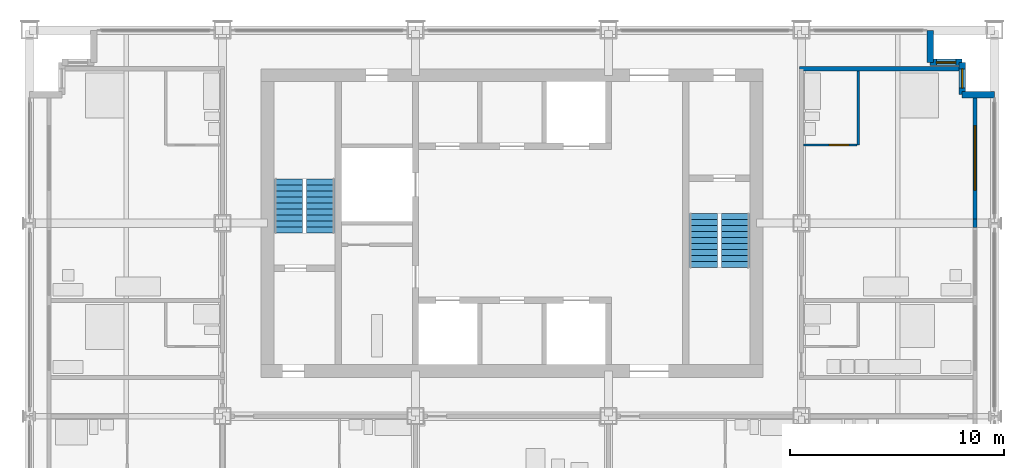
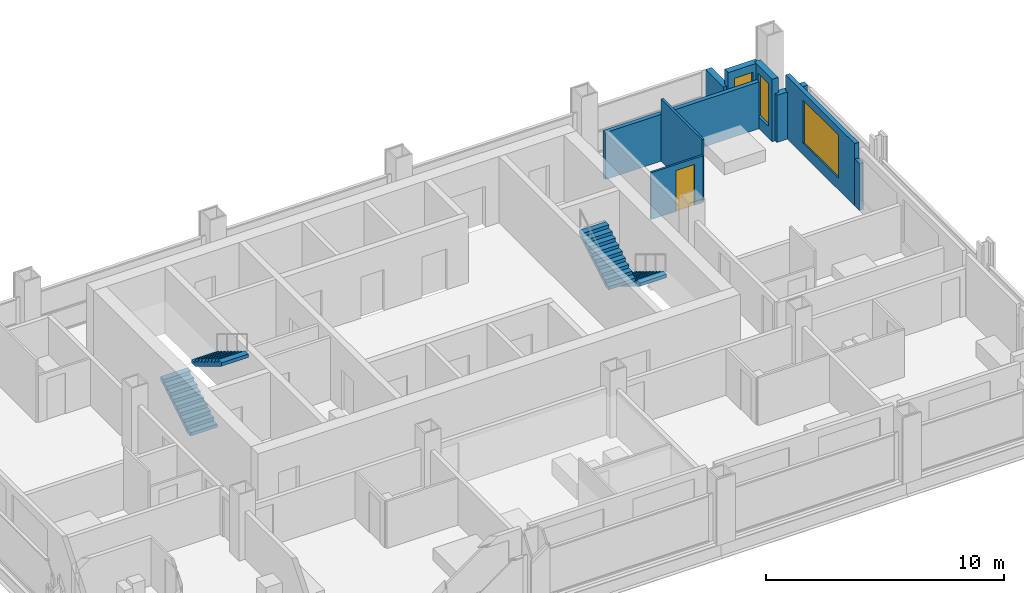
# One storey, part 10 of 13: 9 walls, 4 stair flights, 3 windows, 1 door, 4 openings, 2 elements without a shape of their own.
"""IFC4 building model written with IfcOpenShell, lengths in metres."""

from ifc_helpers import new_model, si_unit, direction, frame, frame_2d, origin, place, context, subcontext, project, spatial, polyline, rectangle, outline, extrude, material, layer, layer_set, type_object, element, fill, aggregate, save


model = new_model("IFC4")

# Units and contexts
model_context = context("Model", 3, precision=1e-05, world=origin(), true_north=direction((0.0, 1.0)))
body_context = subcontext(model_context, "Body", "Model", "MODEL_VIEW")
ifc_project = project(units=[si_unit("LENGTHUNIT", "METRE"), si_unit("AREAUNIT", "SQUARE_METRE"), si_unit("VOLUMEUNIT", "CUBIC_METRE"), si_unit("PLANEANGLEUNIT", "RADIAN"), si_unit("MASSUNIT", "GRAM", prefix="KILO")], contexts=[model_context])

# Site, building, storey
site_placement = place(None, origin())
site = spatial("IfcSite", under=ifc_project, at=site_placement, CompositionType="ELEMENT")
building_placement = place(site_placement, origin())
building = spatial("IfcBuilding", under=site, at=building_placement, Name="Loomwork Tower", CompositionType="ELEMENT")
storey_placement = place(building_placement, frame((0.0, 0.0, 174.0)))
storey = spatial("IfcBuildingStorey", under=building, at=storey_placement, Name="L47", CompositionType="ELEMENT", Elevation=174.0)

# Walls
ifc_material_1 = material(Name="Gypsum board on steel studs, one-hour", Category="steel")
ifc_layer_1 = layer(ifc_material_1, 0.199951171875)
ifc_layer_set_1 = layer_set([ifc_layer_1], Name="Corridor wall 200")
wall_type_1 = type_object("IfcWallType", Name="Corridor wall 200", PredefinedType="PARTITIONING", material=ifc_layer_set_1)
wall_1_placement = place(storey_placement, frame((35.89990234375, 25.199951171875, 0.0), z_axis=(0.0, 0.0, 1.0), x_axis=(1.0, 0.0, 0.0)))
element("IfcWall", 1, at=wall_1_placement, inside=storey, type_object=wall_type_1, Name="East band end wall N", PredefinedType="PARTITIONING", context=body_context, shape_type="SweptSolid", body=[
    extrude(rectangle(XDim=7.4501953125, YDim=0.199951171875, at=frame_2d((3.72509765625, 0.0))), origin(), (0.0, 0.0, 1.0), 2.404052734375),
])
ifc_material_2 = material(Name="Cement board on steel studs", Category="steel")
ifc_layer_2 = layer(ifc_material_2, 0.10009765625)
ifc_layer_set_2 = layer_set([ifc_layer_2], Name="En-suite partition 100")
wall_type_2 = type_object("IfcWallType", Name="En-suite partition 100", PredefinedType="PARTITIONING", material=ifc_layer_set_2)
wall_2_placement = place(storey_placement, frame((38.64990234375, 21.64990234375, 0.0), z_axis=(0.0, 0.0, 1.0), x_axis=(0.0, 1.0, 0.0)))
element("IfcWall", 2, at=wall_2_placement, inside=storey, type_object=wall_type_2, Name="En-suite wall L47 room 9", PredefinedType="PARTITIONING", context=body_context, shape_type="SweptSolid", body=[
    extrude(rectangle(XDim=3.4501953125, YDim=0.10009765625, at=frame_2d((1.72509765625, 0.0))), origin(), (0.0, 0.0, 1.0), 3.199951171875),
])

# Wall, opening, door
wall_3_placement = place(storey_placement, frame((36.10009765625, 21.64990234375, 0.0), z_axis=(0.0, 0.0, 1.0), x_axis=(1.0, 0.0, 0.0)))
wall_3 = element("IfcWall", 3, at=wall_3_placement, inside=storey, type_object=wall_type_2, Name="En-suite side wall L47 room 9", PredefinedType="PARTITIONING", context=body_context, shape_type="SweptSolid", body=[
    extrude(rectangle(XDim=2.5, YDim=0.10009765625, at=frame_2d((1.25, 0.0))), origin(), (0.0, 0.0, 1.0), 2.404052734375),
])
opening_1_placement = place(wall_3_placement, frame((1.199951171875, 0.0, 0.0)))
opening_1 = element("IfcOpeningElement", 4, at=opening_1_placement, cuts=wall_3, Name="Opening D2", PredefinedType="OPENING", context=body_context, shape_type="SweptSolid", body=[
    extrude(rectangle(XDim=0.89990234375, YDim=2.10009765625, at=frame_2d((0.449951171875, 1.050048828125))), frame((0.0, 0.06005859375, 0.0), z_axis=(0.0, -1.0, 0.0), x_axis=(1.0, 0.0, 0.0)), (0.0, 0.0, 1.0), 0.1201171875),
])
ifc_material_3 = material(Name="Hollow metal door and frame")
door_type = type_object("IfcDoorType", Name="En-suite door 900", OperationType="SINGLE_SWING_LEFT", PredefinedType="DOOR", material=ifc_material_3)
door_placement = place(opening_1_placement, origin())
door = element("IfcDoor", 5, at=door_placement, inside=storey, type_object=door_type, Name="En-suite door room 9", OperationType="SINGLE_SWING_RIGHT", OverallHeight=2.10009765625, OverallWidth=0.89990234375, PredefinedType="DOOR", context=body_context, shape_type="SweptSolid", body=[
    extrude(rectangle(XDim=0.89990234375, YDim=2.10009765625, at=frame_2d((0.449951171875, 1.050048828125))), frame((0.0, 0.02490234375, 0.0), z_axis=(0.0, -1.0, 0.0), x_axis=(1.0, 0.0, 0.0)), (0.0, 0.0, 1.0), 0.050048828125),
])
fill(opening_1, door)

# Wall
ifc_material_4 = material(Name="Insulated steel stud wall with gypsum lining", Category="steel")
ifc_layer_3 = layer(ifc_material_4, 0.199951171875)
ifc_layer_set_3 = layer_set([ifc_layer_3], Name="Inner skin wall 200")
wall_type_3 = type_object("IfcWallType", Name="Inner skin wall 200", PredefinedType="SOLIDWALL", material=ifc_layer_set_3)
wall_4_placement = place(storey_placement, frame((44.10009765625, 17.80615234375, 0.0), z_axis=(0.0, 0.0, 1.0), x_axis=(0.0, 1.0, 0.0)))
element("IfcWall", 6, at=wall_4_placement, inside=storey, type_object=wall_type_3, Name="Inner skin wall E bay 6", PredefinedType="SOLIDWALL", context=body_context, shape_type="SweptSolid", body=[
    extrude(rectangle(XDim=0.3876953125, YDim=0.199951171875, at=frame_2d((0.19384765625, 0.0))), origin(), (0.0, 0.0, 1.0), 2.404052734375),
])

# Wall, opening, window
wall_5_placement = place(storey_placement, frame((44.10009765625, 18.19384765625, 0.0), z_axis=(0.0, 0.0, 1.0), x_axis=(0.0, 1.0, 0.0)))
wall_5 = element("IfcWall", 7, at=wall_5_placement, inside=storey, type_object=wall_type_3, Name="Inner skin wall E bay 7", PredefinedType="SOLIDWALL", context=body_context, shape_type="SweptSolid", body=[
    extrude(rectangle(XDim=5.80615234375, YDim=0.199951171875, at=frame_2d((2.903076171875, 0.0))), origin(), (0.0, 0.0, 1.0), 3.199951171875),
])
opening_2_placement = place(wall_5_placement, frame((1.356201171875, 0.0, 0.60009765625)))
opening_2 = element("IfcOpeningElement", 8, at=opening_2_placement, cuts=wall_5, Name="Opening CH1", PredefinedType="OPENING", context=body_context, shape_type="SweptSolid", body=[
    extrude(rectangle(XDim=3.0, YDim=2.199951171875, at=frame_2d((1.5, 1.10009765625))), frame((0.0, 0.10986328125, 0.0), z_axis=(0.0, -1.0, 0.0), x_axis=(1.0, 0.0, 0.0)), (0.0, 0.0, 1.0), 0.219970703125),
])
ifc_material_5 = material(Name="Aluminium frame with clear insulated glass", Category="aluminium")
window_type_1 = type_object("IfcWindowType", Name="Chicago window 3000", PartitioningType="TRIPLE_PANEL_VERTICAL", PredefinedType="WINDOW", material=ifc_material_5)
window_1_placement = place(opening_2_placement, origin())
window_1 = element("IfcWindow", 9, at=window_1_placement, inside=storey, type_object=window_type_1, Name="Chicago window L47 bay 9", OverallHeight=2.199951171875, OverallWidth=3.0, PartitioningType="TRIPLE_PANEL_VERTICAL", PredefinedType="WINDOW", context=body_context, shape_type="SweptSolid", body=[
    extrude(rectangle(XDim=3.0, YDim=2.199951171875, at=frame_2d((1.5, 1.10009765625))), frame((0.0, 0.030029296875, 0.0), z_axis=(0.0, -1.0, 0.0), x_axis=(1.0, 0.0, 0.0)), (0.0, 0.0, 1.0), 0.06005859375),
])
fill(opening_2, window_1)

# Wall
ifc_material_6 = material(Name="Limestone on concrete masonry", Category="masonry")
ifc_layer_4 = layer(ifc_material_6, 0.300048828125)
ifc_layer_set_4 = layer_set([ifc_layer_4], Name="Limestone corner wall 300")
wall_type_4 = type_object("IfcWallType", Name="Limestone corner wall 300", PredefinedType="SOLIDWALL", material=ifc_layer_set_4)
wall_6_placement = place(storey_placement, frame((45.0, 24.0, 0.0), z_axis=(0.0, 0.0, 1.0), x_axis=(-1.0, 0.0, 0.0)))
element("IfcWall", 10, at=wall_6_placement, inside=storey, type_object=wall_type_4, Name="Stone corner wall NE 1", PredefinedType="SOLIDWALL", context=body_context, shape_type="SweptSolid", body=[
    extrude(rectangle(XDim=1.5, YDim=0.300048828125, at=frame_2d((0.75, 0.0))), origin(), (0.0, 0.0, 1.0), 2.419921875),
])

# Wall, opening, window
wall_7_placement = place(storey_placement, frame((43.5, 24.0, 0.0), z_axis=(0.0, 0.0, 1.0), x_axis=(0.0, 1.0, 0.0)))
wall_7 = element("IfcWall", 11, at=wall_7_placement, inside=storey, type_object=wall_type_4, Name="Stone corner wall NE 2", PredefinedType="SOLIDWALL", context=body_context, shape_type="SweptSolid", body=[
    extrude(rectangle(XDim=1.5, YDim=0.300048828125, at=frame_2d((0.75, 0.0))), origin(), (0.0, 0.0, 1.0), 3.199951171875),
])
opening_3_placement = place(wall_7_placement, frame((0.300048828125, 0.0, 0.60009765625)))
opening_3 = element("IfcOpeningElement", 12, at=opening_3_placement, cuts=wall_7, Name="Opening CH2", PredefinedType="OPENING", context=body_context, shape_type="SweptSolid", body=[
    extrude(rectangle(XDim=0.89990234375, YDim=2.199951171875, at=frame_2d((0.449951171875, 1.10009765625))), frame((0.0, 0.159912109375, 0.0), z_axis=(0.0, -1.0, 0.0), x_axis=(1.0, 0.0, 0.0)), (0.0, 0.0, 1.0), 0.320068359375),
])
ifc_material_7 = material(Name="Aluminium frame with clear insulated glass", Category="aluminium")
window_type_2 = type_object("IfcWindowType", Name="Corner window 900", PartitioningType="SINGLE_PANEL", PredefinedType="WINDOW", material=ifc_material_7)
window_2_placement = place(opening_3_placement, origin())
window_2 = element("IfcWindow", 13, at=window_2_placement, inside=storey, type_object=window_type_2, Name="Corner window NE", OverallHeight=2.199951171875, OverallWidth=0.89990234375, PartitioningType="SINGLE_PANEL", PredefinedType="WINDOW", context=body_context, shape_type="SweptSolid", body=[
    extrude(rectangle(XDim=0.89990234375, YDim=2.199951171875, at=frame_2d((0.449951171875, 1.10009765625))), frame((0.0, 0.030029296875, 0.0), z_axis=(0.0, -1.0, 0.0), x_axis=(1.0, 0.0, 0.0)), (0.0, 0.0, 1.0), 0.06005859375),
])
fill(opening_3, window_2)

wall_8_placement = place(storey_placement, frame((43.5, 25.5, 0.0), z_axis=(0.0, 0.0, 1.0), x_axis=(-1.0, 0.0, 0.0)))
wall_8 = element("IfcWall", 14, at=wall_8_placement, inside=storey, type_object=wall_type_4, Name="Stone corner wall NE 3", PredefinedType="SOLIDWALL", context=body_context, shape_type="SweptSolid", body=[
    extrude(rectangle(XDim=1.5, YDim=0.300048828125, at=frame_2d((0.75, 0.0))), origin(), (0.0, 0.0, 1.0), 3.199951171875),
])
opening_4_placement = place(wall_8_placement, frame((0.300048828125, 0.0, 0.60009765625)))
opening_4 = element("IfcOpeningElement", 15, at=opening_4_placement, cuts=wall_8, Name="Opening CH2", PredefinedType="OPENING", context=body_context, shape_type="SweptSolid", body=[
    extrude(rectangle(XDim=0.89990234375, YDim=2.199951171875, at=frame_2d((0.449951171875, 1.10009765625))), frame((0.0, 0.159912109375, 0.0), z_axis=(0.0, -1.0, 0.0), x_axis=(1.0, 0.0, 0.0)), (0.0, 0.0, 1.0), 0.320068359375),
])
window_3_placement = place(opening_4_placement, origin())
window_3 = element("IfcWindow", 16, at=window_3_placement, inside=storey, type_object=window_type_2, Name="Corner window NE", OverallHeight=2.199951171875, OverallWidth=0.89990234375, PartitioningType="SINGLE_PANEL", PredefinedType="WINDOW", context=body_context, shape_type="SweptSolid", body=[
    extrude(rectangle(XDim=0.89990234375, YDim=2.199951171875, at=frame_2d((0.449951171875, 1.10009765625))), frame((0.0, 0.030029296875, 0.0), z_axis=(0.0, -1.0, 0.0), x_axis=(1.0, 0.0, 0.0)), (0.0, 0.0, 1.0), 0.06005859375),
])
fill(opening_4, window_3)

# Wall
wall_9_placement = place(storey_placement, frame((42.0, 25.5, 0.0), z_axis=(0.0, 0.0, 1.0), x_axis=(0.0, 1.0, 0.0)))
element("IfcWall", 17, at=wall_9_placement, inside=storey, type_object=wall_type_4, Name="Stone corner wall NE 4", PredefinedType="SOLIDWALL", context=body_context, shape_type="SweptSolid", body=[
    extrude(rectangle(XDim=1.5, YDim=0.300048828125, at=frame_2d((0.75, 0.0))), origin(), (0.0, 0.0, 1.0), 2.419921875),
])

# Stair, stair flights
ifc_material_8 = material(Name="Concrete 5000 psi (34 MPa) precast stair", Category="concrete")
stair_type_1 = type_object("IfcStairType", Name="Stair ST-A 20 risers 2850 wide", PredefinedType="HALF_TURN_STAIR", material=ifc_material_8)
stair_1_placement = place(storey_placement, origin())
stair_1 = element("IfcStair", 18, at=stair_1_placement, inside=storey, type_object=stair_type_1, Name="Stair A L47", PredefinedType="HALF_TURN_STAIR")
ifc_material_9 = material(Name="Concrete 5000 psi (34 MPa) precast stair", Category="concrete")
stair_flight_type_1 = type_object("IfcStairFlightType", Name="Stair flight ST-A 10 risers 1300 wide", PredefinedType="STRAIGHT", material=ifc_material_9)
stair_flight_1_placement = place(storey_placement, frame((12.074951171875, 17.550048828125, 0.0), z_axis=(0.0, 0.0, 1.0), x_axis=(0.0, 1.0, 0.0)))
stair_flight_1 = element("IfcStairFlight", 19, at=stair_flight_1_placement, type_object=stair_flight_type_1, Name="ST-A flight 1", NumberOfRisers=10, NumberOfTreads=9, PredefinedType="STRAIGHT", RiserHeight=0.17, TreadLength=0.28, context=body_context, shape_type="SweptSolid", body=[
    extrude(outline(polyline([(0.0, 0.0), (0.0, 0.169921875), (0.280029296875, 0.169921875), (0.280029296875, 0.340087890625), (0.56005859375, 0.340087890625), (0.56005859375, 0.510009765625), (0.840087890625, 0.510009765625), (0.840087890625, 0.679931640625), (1.1201171875, 0.679931640625), (1.1201171875, 0.85009765625), (1.39990234375, 0.85009765625), (1.39990234375, 1.02001953125), (1.679931640625, 1.02001953125), (1.679931640625, 1.18994140625), (1.9599609375, 1.18994140625), (1.9599609375, 1.360107421875), (2.239990234375, 1.360107421875), (2.239990234375, 1.530029296875), (2.52001953125, 1.530029296875), (2.52001953125, 1.699951171875), (2.52001953125, 1.354736328125), (0.288818359375, 0.0), (0.0, 0.0)])), frame((0.0, 0.64990234375, 0.0), z_axis=(0.0, -1.0, 0.0), x_axis=(1.0, 0.0, 0.0)), (0.0, 0.0, 1.0), 1.300048828125),
])
stair_flight_2_placement = place(storey_placement, frame((13.574951171875, 20.070068359375, 1.699951171875), z_axis=(0.0, 0.0, 1.0), x_axis=(0.0, -1.0, 0.0)))
stair_flight_2 = element("IfcStairFlight", 20, at=stair_flight_2_placement, type_object=stair_flight_type_1, Name="ST-A flight 2", NumberOfRisers=10, NumberOfTreads=9, PredefinedType="STRAIGHT", RiserHeight=0.17, TreadLength=0.28, context=body_context, shape_type="SweptSolid", body=[
    extrude(outline(polyline([(0.0, 0.0), (0.0, 0.169921875), (0.280029296875, 0.169921875), (0.280029296875, 0.340087890625), (0.56005859375, 0.340087890625), (0.56005859375, 0.510009765625), (0.840087890625, 0.510009765625), (0.840087890625, 0.679931640625), (1.1201171875, 0.679931640625), (1.1201171875, 0.85009765625), (1.39990234375, 0.85009765625), (1.39990234375, 1.02001953125), (1.679931640625, 1.02001953125), (1.679931640625, 1.18994140625), (1.9599609375, 1.18994140625), (1.9599609375, 1.360107421875), (2.239990234375, 1.360107421875), (2.239990234375, 1.530029296875), (2.52001953125, 1.530029296875), (2.52001953125, 1.699951171875), (2.52001953125, 1.354736328125), (0.288818359375, 0.0), (0.0, 0.0)])), frame((0.0, 0.64990234375, 0.0), z_axis=(0.0, -1.0, 0.0), x_axis=(1.0, 0.0, 0.0)), (0.0, 0.0, 1.0), 1.300048828125),
])
aggregate(stair_1, [stair_flight_1, stair_flight_2])

ifc_material_10 = material(Name="Concrete 5000 psi (34 MPa) precast stair", Category="concrete")
stair_type_2 = type_object("IfcStairType", Name="Stair ST-B 20 risers 2850 wide", PredefinedType="HALF_TURN_STAIR", material=ifc_material_10)
stair_2_placement = place(storey_placement, origin())
stair_2 = element("IfcStair", 21, at=stair_2_placement, inside=storey, type_object=stair_type_2, Name="Stair B L47", PredefinedType="HALF_TURN_STAIR")
ifc_material_11 = material(Name="Concrete 5000 psi (34 MPa) precast stair", Category="concrete")
stair_flight_type_2 = type_object("IfcStairFlightType", Name="Stair flight ST-B 10 risers 1300 wide", PredefinedType="STRAIGHT", material=ifc_material_11)
stair_flight_3_placement = place(storey_placement, frame((32.925048828125, 18.449951171875, 0.0), z_axis=(0.0, 0.0, 1.0), x_axis=(0.0, -1.0, 0.0)))
stair_flight_3 = element("IfcStairFlight", 22, at=stair_flight_3_placement, type_object=stair_flight_type_2, Name="ST-B flight 1", NumberOfRisers=10, NumberOfTreads=9, PredefinedType="STRAIGHT", RiserHeight=0.17, TreadLength=0.28, context=body_context, shape_type="SweptSolid", body=[
    extrude(outline(polyline([(0.0, 0.0), (0.0, 0.169921875), (0.280029296875, 0.169921875), (0.280029296875, 0.340087890625), (0.56005859375, 0.340087890625), (0.56005859375, 0.510009765625), (0.840087890625, 0.510009765625), (0.840087890625, 0.679931640625), (1.1201171875, 0.679931640625), (1.1201171875, 0.85009765625), (1.39990234375, 0.85009765625), (1.39990234375, 1.02001953125), (1.679931640625, 1.02001953125), (1.679931640625, 1.18994140625), (1.9599609375, 1.18994140625), (1.9599609375, 1.360107421875), (2.239990234375, 1.360107421875), (2.239990234375, 1.530029296875), (2.52001953125, 1.530029296875), (2.52001953125, 1.699951171875), (2.52001953125, 1.354736328125), (0.288818359375, 0.0), (0.0, 0.0)])), frame((0.0, 0.64990234375, 0.0), z_axis=(0.0, -1.0, 0.0), x_axis=(1.0, 0.0, 0.0)), (0.0, 0.0, 1.0), 1.300048828125),
])
stair_flight_4_placement = place(storey_placement, frame((31.425048828125, 15.929931640625, 1.699951171875), z_axis=(0.0, 0.0, 1.0), x_axis=(0.0, 1.0, 0.0)))
stair_flight_4 = element("IfcStairFlight", 23, at=stair_flight_4_placement, type_object=stair_flight_type_2, Name="ST-B flight 2", NumberOfRisers=10, NumberOfTreads=9, PredefinedType="STRAIGHT", RiserHeight=0.17, TreadLength=0.28, context=body_context, shape_type="SweptSolid", body=[
    extrude(outline(polyline([(0.0, 0.0), (0.0, 0.169921875), (0.280029296875, 0.169921875), (0.280029296875, 0.340087890625), (0.56005859375, 0.340087890625), (0.56005859375, 0.510009765625), (0.840087890625, 0.510009765625), (0.840087890625, 0.679931640625), (1.1201171875, 0.679931640625), (1.1201171875, 0.85009765625), (1.39990234375, 0.85009765625), (1.39990234375, 1.02001953125), (1.679931640625, 1.02001953125), (1.679931640625, 1.18994140625), (1.9599609375, 1.18994140625), (1.9599609375, 1.360107421875), (2.239990234375, 1.360107421875), (2.239990234375, 1.530029296875), (2.52001953125, 1.530029296875), (2.52001953125, 1.699951171875), (2.52001953125, 1.354736328125), (0.288818359375, 0.0), (0.0, 0.0)])), frame((0.0, 0.64990234375, 0.0), z_axis=(0.0, -1.0, 0.0), x_axis=(1.0, 0.0, 0.0)), (0.0, 0.0, 1.0), 1.300048828125),
])
aggregate(stair_2, [stair_flight_3, stair_flight_4])

save(model, "model.ifc")
